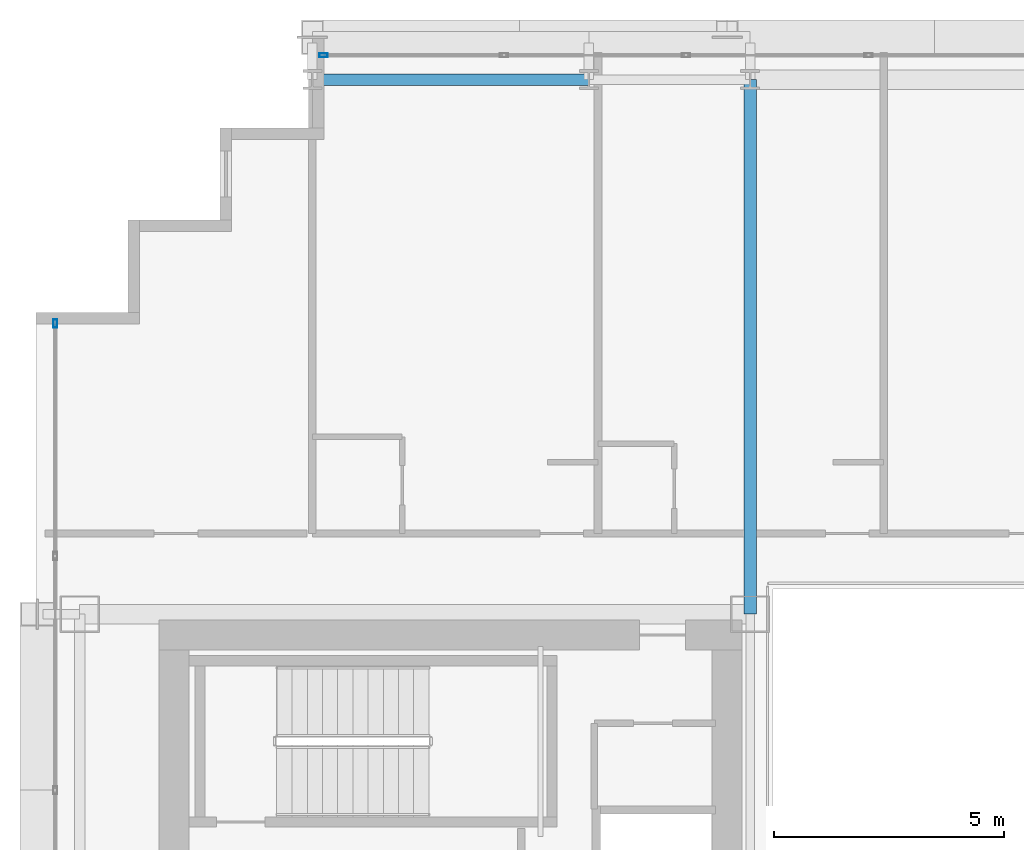
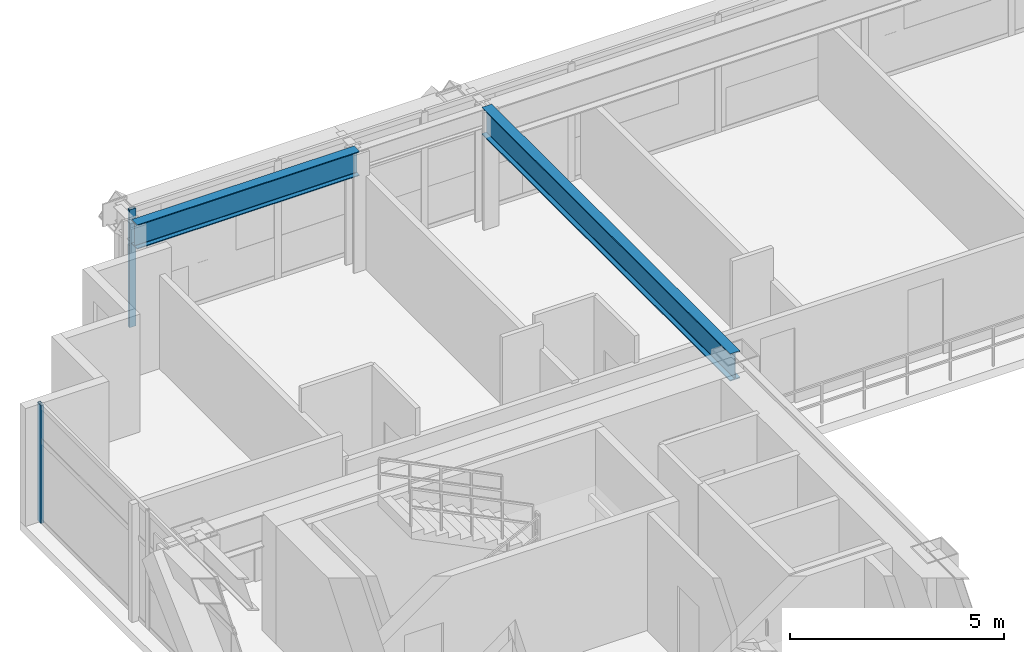
# One storey, part 17 of 35: 2 beams, 2 members, 2 elements without a shape of their own.
"""IFC4 building model written with IfcOpenShell, lengths in metres."""

from ifc_helpers import new_model, si_unit, direction, frame, origin, origin_2d, place, context, subcontext, project, spatial, hollow_rectangle, i_section, extrude, source, transform, mapped, material, layer, layer_set, material_profile, profile_set, type_object, element, aggregate, save


model = new_model("IFC4")

# Units and contexts
model_context = context("Model", 3, precision=1e-05, world=origin(), true_north=direction((0.0, 1.0)))
body_context = subcontext(model_context, "Body", "Model", "MODEL_VIEW")
ifc_project = project(units=[si_unit("LENGTHUNIT", "METRE"), si_unit("AREAUNIT", "SQUARE_METRE"), si_unit("VOLUMEUNIT", "CUBIC_METRE"), si_unit("PLANEANGLEUNIT", "RADIAN"), si_unit("MASSUNIT", "GRAM", prefix="KILO")], contexts=[model_context])

# Site, building, storey
site_placement = place(None, origin())
site = spatial("IfcSite", under=ifc_project, at=site_placement, CompositionType="ELEMENT")
building_placement = place(site_placement, origin())
building = spatial("IfcBuilding", under=site, at=building_placement, Name="Ocotamira Hotel", CompositionType="ELEMENT")
storey_placement = place(building_placement, frame((0.0, 0.0, 122.39990234375)))
storey = spatial("IfcBuildingStorey", under=building, at=storey_placement, Name="L30", CompositionType="ELEMENT", Elevation=122.39990234375)

# Beams
ifc_material_1 = material(Name="Steel ASTM A992 Grade 50", Category="steel")
ifc_material_profile_1 = material_profile(ifc_material_1, i_section(OverallWidth=0.256103515625, OverallDepth=0.693115234375, WebThickness=0.014404296875, FlangeThickness=0.023681640625, FilletRadius=0.01611328125, at=origin_2d()), Name="W27X114")
ifc_profile_set_1 = profile_set([ifc_material_profile_1], Name="Steel ASTM A992 Grade 50")
beam_type_1 = type_object("IfcBeamType", Name="BM-PRIM-W27X114", PredefinedType="BEAM", material=ifc_profile_set_1)
shared_shape_1 = source(origin(), body_context, "Body", "SweptSolid", [
    extrude(i_section(OverallWidth=0.256103515625, OverallDepth=0.693115234375, WebThickness=0.014404296875, FlangeThickness=0.023681640625, FilletRadius=0.01611328125, at=origin_2d()), origin(), (0.0, 0.0, 1.0), 6.0),
])
beam_1_placement = place(storey_placement, frame((14.0, 49.050048828125, 3.013671875), z_axis=(1.0, 0.0, 0.0), x_axis=(0.0, 1.0, 0.0)))
element("IfcBeam", 1, at=beam_1_placement, inside=storey, type_object=beam_type_1, Name="L30 Girder Y49.05 X14-20", PredefinedType="BEAM", context=body_context, shape_type="MappedRepresentation", body=[
    mapped(shared_shape_1, transform((0.0, 0.0, 0.0), scale=1.0)),
])
ifc_material_profile_2 = material_profile(ifc_material_1, i_section(OverallWidth=0.26611328125, OverallDepth=0.779052734375, WebThickness=0.0166015625, FlangeThickness=0.030029296875, FilletRadius=0.01806640625, at=origin_2d()), Name="W30X148")
ifc_profile_set_2 = profile_set([ifc_material_profile_2], Name="Steel ASTM A992 Grade 50")
beam_type_2 = type_object("IfcBeamType", Name="BM-GIRD-W30X148", PredefinedType="BEAM", material=ifc_profile_set_2)
shared_shape_2 = source(origin(), body_context, "Body", "SweptSolid", [
    extrude(i_section(OverallWidth=0.26611328125, OverallDepth=0.779052734375, WebThickness=0.0166015625, FlangeThickness=0.030029296875, FilletRadius=0.01806640625, at=origin_2d()), origin(), (0.0, 0.0, 1.0), 11.60009765625),
])
beam_2_placement = place(storey_placement, frame((23.5, 37.449951171875, 2.970703125), z_axis=(0.0, 1.0, 0.0), x_axis=(-1.0, 0.0, 0.0)))
element("IfcBeam", 2, at=beam_2_placement, inside=storey, type_object=beam_type_2, Name="L30 Beam X23.5 Y37.45-49.05", PredefinedType="BEAM", context=body_context, shape_type="MappedRepresentation", body=[
    mapped(shared_shape_2, transform((0.0, 0.0, 0.0), scale=1.0)),
])

# Curtain wall, member
ifc_material_2 = material(Name="Anodised pale-metal aluminium and solar glass", Category="aluminium")
ifc_layer = layer(ifc_material_2, 0.179931640625)
ifc_layer_set = layer_set([ifc_layer], Name="Anodised pale-metal aluminium and solar glass")
curtain_wall_type = type_object("IfcCurtainWallType", Name="CW-SYS3-Z2", PredefinedType="NOTDEFINED", material=ifc_layer_set)
curtain_wall_1_placement = place(storey_placement, origin())
curtain_wall_1 = element("IfcCurtainWall", 3, at=curtain_wall_1_placement, inside=storey, type_object=curtain_wall_type, Name="L30 Curtain Wall CW-3 CW-L30-N", PredefinedType="NOTDEFINED")
ifc_material_3 = material(Name="Anodised pale-metal aluminium 6063-T6", Category="aluminium")
ifc_material_profile_3 = material_profile(ifc_material_3, hollow_rectangle(XDim=0.080078125, YDim=0.179931640625, WallThickness=0.006103515625, at=origin_2d()), Name="HSS180X80X6")
ifc_profile_set_3 = profile_set([ifc_material_profile_3], Name="Anodised pale-metal aluminium 6063-T6")
member_type = type_object("IfcMemberType", Name="CWM-180X75", PredefinedType="MULLION", material=ifc_profile_set_3)
shared_shape_3 = source(origin(), body_context, "Body", "SweptSolid", [
    extrude(hollow_rectangle(XDim=0.080078125, YDim=0.179931640625, WallThickness=0.006103515625, at=origin_2d()), origin(), (0.0, 0.0, 1.0), 3.360107421875),
])
member_1_placement = place(storey_placement, frame((14.239990234375, 49.580078125, 0.0), z_axis=(0.0, 0.0, 1.0), x_axis=(0.0, 1.0, 0.0)))
member_1 = element("IfcMember", 4, at=member_1_placement, type_object=member_type, Name="CW-3 mullion 1", PredefinedType="MULLION", context=body_context, shape_type="MappedRepresentation", body=[
    mapped(shared_shape_3, transform((0.0, 0.0, 0.0), scale=1.0)),
])
aggregate(curtain_wall_1, [member_1])

curtain_wall_2_placement = place(storey_placement, origin())
curtain_wall_2 = element("IfcCurtainWall", 5, at=curtain_wall_2_placement, inside=storey, type_object=curtain_wall_type, Name="L30 Curtain Wall CW-3 CW-L30-W", PredefinedType="NOTDEFINED")
member_2_placement = place(storey_placement, frame((8.419921875, 43.760009765625, 0.0), z_axis=(0.0, 0.0, 1.0), x_axis=(-1.0, 0.0, 0.0)))
member_2 = element("IfcMember", 6, at=member_2_placement, type_object=member_type, Name="CW-3 mullion 8", PredefinedType="MULLION", context=body_context, shape_type="MappedRepresentation", body=[
    mapped(shared_shape_3, transform((0.0, 0.0, 0.0), scale=1.0)),
])
aggregate(curtain_wall_2, [member_2])

save(model, "model.ifc")
